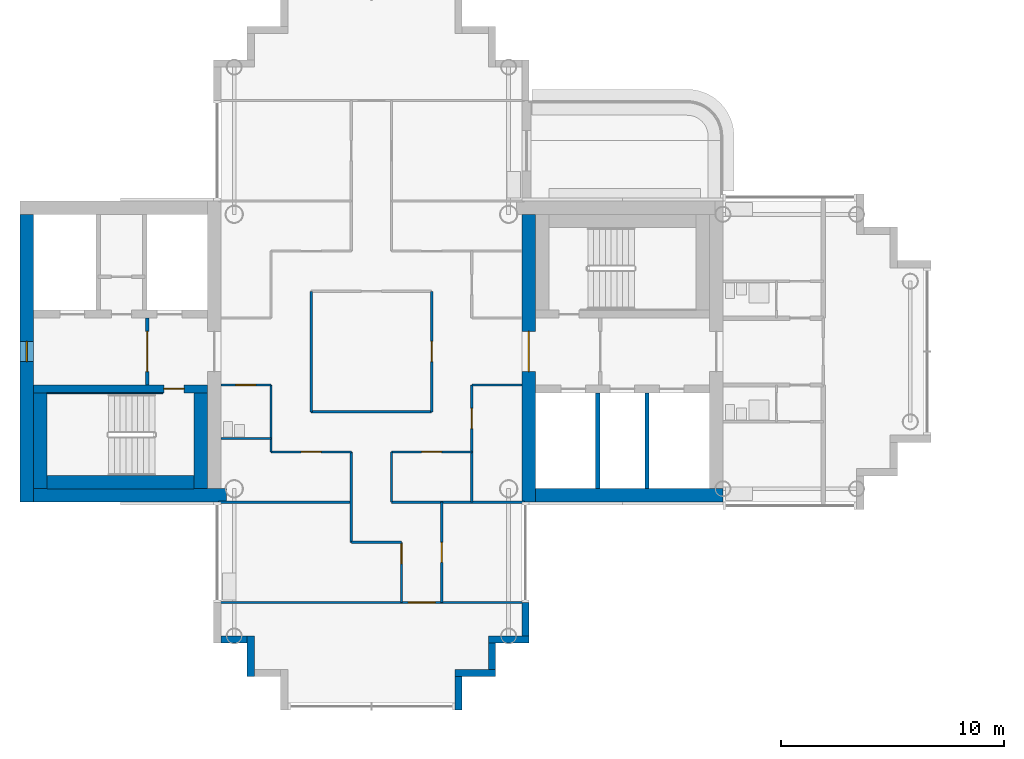
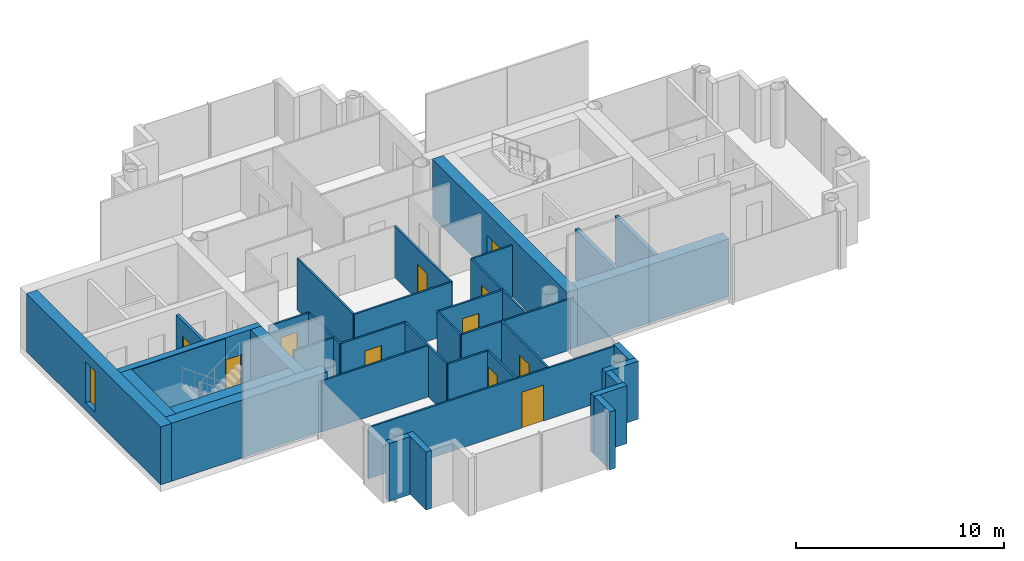
# One storey, part 6 of 18: 37 walls, 11 doors, 1 window, 12 openings.
"""IFC4 building model written with IfcOpenShell, lengths in metres."""

from ifc_helpers import new_model, si_unit, direction, frame, frame_2d, origin, place, context, subcontext, project, spatial, rectangle, extrude, material, layer, layer_set, type_object, element, fill, save


model = new_model("IFC4")

# Units and contexts
model_context = context("Model", 3, precision=1e-05, world=origin(), true_north=direction((0.0, 1.0)))
body_context = subcontext(model_context, "Body", "Model", "MODEL_VIEW")
ifc_project = project(units=[si_unit("LENGTHUNIT", "METRE"), si_unit("AREAUNIT", "SQUARE_METRE"), si_unit("VOLUMEUNIT", "CUBIC_METRE"), si_unit("PLANEANGLEUNIT", "RADIAN"), si_unit("MASSUNIT", "GRAM", prefix="KILO")], contexts=[model_context])

# Site, building, storey
site_placement = place(None, origin())
site = spatial("IfcSite", under=ifc_project, at=site_placement, CompositionType="ELEMENT")
building_placement = place(site_placement, origin())
building = spatial("IfcBuilding", under=site, at=building_placement, Name="Ipe Terrace Towers", CompositionType="ELEMENT")
storey_placement = place(building_placement, frame((0.0, 0.0, 206.199951171875)))
storey = spatial("IfcBuildingStorey", under=building, at=storey_placement, Name="L57", CompositionType="ELEMENT", Elevation=206.199951171875)

# Walls
ifc_material_1 = material(Name="Concrete C40/50 with buff precast cladding", Category="concrete")
ifc_layer_1 = layer(ifc_material_1, 0.320068359375)
ifc_layer_set_1 = layer_set([ifc_layer_1], Name="BUFF CLADDING WALL 320")
wall_type_1 = type_object("IfcWallType", Name="BUFF CLADDING WALL 320", PredefinedType="STANDARD", material=ifc_layer_set_1)
wall_1_placement = place(storey_placement, frame((-42.75, -12.909912109375, -0.300048828125), z_axis=(0.0, 0.0, 1.0), x_axis=(1.0, 0.0, 0.0)))
element("IfcWall", 1, at=wall_1_placement, inside=storey, type_object=wall_type_1, Name="T1-W-L57-04a wall", PredefinedType="STANDARD", context=body_context, shape_type="SweptSolid", body=[
    extrude(rectangle(XDim=1.179931640625, YDim=0.320068359375, at=frame_2d((0.58984375, 0.0))), origin(), (0.0, 0.0, 1.0), 3.400146484375),
])
wall_2_placement = place(storey_placement, frame((-41.409912109375, -12.75, -0.300048828125), z_axis=(0.0, 0.0, 1.0), x_axis=(0.0, -1.0, 0.0)))
element("IfcWall", 2, at=wall_2_placement, inside=storey, type_object=wall_type_1, Name="T1-W-L57-05a wall", PredefinedType="STANDARD", context=body_context, shape_type="SweptSolid", body=[
    extrude(rectangle(XDim=1.820068359375, YDim=0.320068359375, at=frame_2d((0.91015625, 0.0))), origin(), (0.0, 0.0, 1.0), 3.400146484375),
])
wall_3_placement = place(storey_placement, frame((-32.090087890625, -16.070068359375, -0.300048828125), z_axis=(0.0, 0.0, 1.0), x_axis=(0.0, 1.0, 0.0)))
element("IfcWall", 3, at=wall_3_placement, inside=storey, type_object=wall_type_1, Name="T1-W-L57-09a wall", PredefinedType="STANDARD", context=body_context, shape_type="SweptSolid", body=[
    extrude(rectangle(XDim=1.5, YDim=0.320068359375, at=frame_2d((0.75, 0.0))), origin(), (0.0, 0.0, 1.0), 3.400146484375),
])
wall_4_placement = place(storey_placement, frame((-32.25, -14.409912109375, -0.300048828125), z_axis=(0.0, 0.0, 1.0), x_axis=(1.0, 0.0, 0.0)))
element("IfcWall", 4, at=wall_4_placement, inside=storey, type_object=wall_type_1, Name="T1-W-L57-10a wall", PredefinedType="STANDARD", context=body_context, shape_type="SweptSolid", body=[
    extrude(rectangle(XDim=1.820068359375, YDim=0.320068359375, at=frame_2d((0.91015625, 0.0))), origin(), (0.0, 0.0, 1.0), 3.400146484375),
])
wall_5_placement = place(storey_placement, frame((-30.590087890625, -14.25, -0.300048828125), z_axis=(0.0, 0.0, 1.0), x_axis=(0.0, 1.0, 0.0)))
element("IfcWall", 5, at=wall_5_placement, inside=storey, type_object=wall_type_1, Name="T1-W-L57-11a wall", PredefinedType="STANDARD", context=body_context, shape_type="SweptSolid", body=[
    extrude(rectangle(XDim=1.179931640625, YDim=0.320068359375, at=frame_2d((0.58984375, 0.0))), origin(), (0.0, 0.0, 1.0), 3.400146484375),
])
wall_6_placement = place(storey_placement, frame((-30.75, -12.909912109375, -0.300048828125), z_axis=(0.0, 0.0, 1.0), x_axis=(1.0, 0.0, 0.0)))
element("IfcWall", 6, at=wall_6_placement, inside=storey, type_object=wall_type_1, Name="T1-W-L57-12a wall", PredefinedType="STANDARD", context=body_context, shape_type="SweptSolid", body=[
    extrude(rectangle(XDim=1.820068359375, YDim=0.320068359375, at=frame_2d((0.91015625, 0.0))), origin(), (0.0, 0.0, 1.0), 3.400146484375),
])
wall_7_placement = place(storey_placement, frame((-29.090087890625, -12.75, -0.300048828125), z_axis=(0.0, 0.0, 1.0), x_axis=(0.0, 1.0, 0.0)))
element("IfcWall", 7, at=wall_7_placement, inside=storey, type_object=wall_type_1, Name="T1-W-L57-13a wall", PredefinedType="STANDARD", context=body_context, shape_type="SweptSolid", body=[
    extrude(rectangle(XDim=1.5, YDim=0.320068359375, at=frame_2d((0.75, 0.0))), origin(), (0.0, 0.0, 1.0), 3.400146484375),
])
ifc_material_2 = material(Name="Gypsum board partition", Category="plasterboard")
ifc_layer_2 = layer(ifc_material_2, 0.10009765625)
ifc_layer_set_2 = layer_set([ifc_layer_2], Name="Gypsum board partition 100 mm")
wall_type_2 = type_object("IfcWallType", Name="Gypsum board partition 100 mm", PredefinedType="PARTITIONING", material=ifc_layer_set_2)
wall_8_placement = place(storey_placement, frame((-40.5, -4.5, 0.0), z_axis=(0.0, 0.0, 1.0), x_axis=(0.0, 1.0, 0.0)))
element("IfcWall", 8, at=wall_8_placement, inside=storey, type_object=wall_type_2, Name="Gypsum board partition T1 L57 W01", PredefinedType="PARTITIONING", context=body_context, shape_type="SweptSolid", body=[
    extrude(rectangle(XDim=3.0, YDim=0.10009765625, at=frame_2d((1.5, 0.0))), origin(), (0.0, 0.0, 1.0), 3.0),
])
wall_9_placement = place(storey_placement, frame((-38.699951171875, -2.699951171875, 0.0), z_axis=(0.0, 0.0, 1.0), x_axis=(0.0, 1.0, 0.0)))
element("IfcWall", 9, at=wall_9_placement, inside=storey, type_object=wall_type_2, Name="Gypsum board partition T1 L57 W03", PredefinedType="PARTITIONING", context=body_context, shape_type="SweptSolid", body=[
    extrude(rectangle(XDim=5.39990234375, YDim=0.10009765625, at=frame_2d((2.699951171875, 0.0))), origin(), (0.0, 0.0, 1.0), 3.0),
])
wall_10_placement = place(storey_placement, frame((-36.89990234375, -8.550048828125, 0.0), z_axis=(0.0, 0.0, 1.0), x_axis=(0.0, 1.0, 0.0)))
element("IfcWall", 10, at=wall_10_placement, inside=storey, type_object=wall_type_2, Name="Gypsum board partition T1 L57 W04", PredefinedType="PARTITIONING", context=body_context, shape_type="SweptSolid", body=[
    extrude(rectangle(XDim=4.050048828125, YDim=0.10009765625, at=frame_2d((2.02490234375, 0.0))), origin(), (0.0, 0.0, 1.0), 3.0),
])
wall_11_placement = place(storey_placement, frame((-35.10009765625, -6.75, 0.0), z_axis=(0.0, 0.0, 1.0), x_axis=(0.0, 1.0, 0.0)))
element("IfcWall", 11, at=wall_11_placement, inside=storey, type_object=wall_type_2, Name="Gypsum board partition T1 L57 W06", PredefinedType="PARTITIONING", context=body_context, shape_type="SweptSolid", body=[
    extrude(rectangle(XDim=2.25, YDim=0.10009765625, at=frame_2d((1.125, 0.0))), origin(), (0.0, 0.0, 1.0), 3.0),
])

# Wall, opening, door
wall_12_placement = place(storey_placement, frame((-34.64990234375, -11.25, 0.0), z_axis=(0.0, 0.0, 1.0), x_axis=(0.0, 1.0, 0.0)))
wall_12 = element("IfcWall", 12, at=wall_12_placement, inside=storey, type_object=wall_type_2, Name="Gypsum board partition T1 L57 W08", PredefinedType="PARTITIONING", context=body_context, shape_type="SweptSolid", body=[
    extrude(rectangle(XDim=2.699951171875, YDim=0.10009765625, at=frame_2d((1.35009765625, 0.0))), origin(), (0.0, 0.0, 1.0), 3.0),
])
opening_1_placement = place(wall_12_placement, frame((1.72998046875, 0.0, 0.0)))
opening_1 = element("IfcOpeningElement", 13, at=opening_1_placement, cuts=wall_12, Name="Opening T1-Z4E-14", PredefinedType="OPENING", context=body_context, shape_type="SweptSolid", body=[
    extrude(rectangle(XDim=0.89990234375, YDim=2.10009765625, at=frame_2d((0.449951171875, 1.050048828125))), frame((0.0, 0.06005859375, 0.0), z_axis=(0.0, -1.0, 0.0), x_axis=(1.0, 0.0, 0.0)), (0.0, 0.0, 1.0), 0.1201171875),
])
ifc_material_3 = material(Name="Timber door leaf", Category="wood")
door_type_1 = type_object("IfcDoorType", Name="Lounge door 900 x 2100", OperationType="NOTDEFINED", PredefinedType="DOOR", material=ifc_material_3)
door_1_placement = place(opening_1_placement, origin())
door_1 = element("IfcDoor", 14, at=door_1_placement, inside=storey, type_object=door_type_1, Name="Lounge door T1-Z4E-14", OperationType="SINGLE_SWING_LEFT", OverallHeight=2.10009765625, OverallWidth=0.89990234375, PredefinedType="DOOR", context=body_context, shape_type="SweptSolid", body=[
    extrude(rectangle(XDim=0.89990234375, YDim=2.10009765625, at=frame_2d((0.449951171875, 1.050048828125))), frame((0.0, 0.02490234375, 0.0), z_axis=(0.0, -1.0, 0.0), x_axis=(1.0, 0.0, 0.0)), (0.0, 0.0, 1.0), 0.050048828125),
])
fill(opening_1, door_1)

wall_13_placement = place(storey_placement, frame((-33.300048828125, -2.699951171875, 0.0), z_axis=(0.0, 0.0, 1.0), x_axis=(0.0, 1.0, 0.0)))
wall_13 = element("IfcWall", 15, at=wall_13_placement, inside=storey, type_object=wall_type_2, Name="Gypsum board partition T1 L57 W09", PredefinedType="PARTITIONING", context=body_context, shape_type="SweptSolid", body=[
    extrude(rectangle(XDim=5.39990234375, YDim=0.10009765625, at=frame_2d((2.699951171875, 0.0))), origin(), (0.0, 0.0, 1.0), 3.0),
])
opening_2_placement = place(wall_13_placement, frame((2.25, 0.0, 0.0)))
opening_2 = element("IfcOpeningElement", 16, at=opening_2_placement, cuts=wall_13, Name="Opening T1-Z4E-02", PredefinedType="OPENING", context=body_context, shape_type="SweptSolid", body=[
    extrude(rectangle(XDim=0.89990234375, YDim=2.10009765625, at=frame_2d((0.449951171875, 1.050048828125))), frame((0.0, 0.06005859375, 0.0), z_axis=(0.0, -1.0, 0.0), x_axis=(1.0, 0.0, 0.0)), (0.0, 0.0, 1.0), 0.1201171875),
])
door_2_placement = place(opening_2_placement, origin())
door_2 = element("IfcDoor", 17, at=door_2_placement, inside=storey, type_object=door_type_1, Name="Lounge door T1-Z4E-02", OperationType="SINGLE_SWING_LEFT", OverallHeight=2.10009765625, OverallWidth=0.89990234375, PredefinedType="DOOR", context=body_context, shape_type="SweptSolid", body=[
    extrude(rectangle(XDim=0.89990234375, YDim=2.10009765625, at=frame_2d((0.449951171875, 1.050048828125))), frame((0.0, 0.02490234375, 0.0), z_axis=(0.0, -1.0, 0.0), x_axis=(1.0, 0.0, 0.0)), (0.0, 0.0, 1.0), 0.050048828125),
])
fill(opening_2, door_2)

wall_14_placement = place(storey_placement, frame((-32.85009765625, -11.25, 0.0), z_axis=(0.0, 0.0, 1.0), x_axis=(0.0, 1.0, 0.0)))
wall_14 = element("IfcWall", 18, at=wall_14_placement, inside=storey, type_object=wall_type_2, Name="Gypsum board partition T1 L57 W10", PredefinedType="PARTITIONING", context=body_context, shape_type="SweptSolid", body=[
    extrude(rectangle(XDim=4.5, YDim=0.10009765625, at=frame_2d((2.25, 0.0))), origin(), (0.0, 0.0, 1.0), 3.0),
])
opening_3_placement = place(wall_14_placement, frame((1.800048828125, 0.0, 0.0)))
opening_3 = element("IfcOpeningElement", 19, at=opening_3_placement, cuts=wall_14, Name="Opening T1-Z4E-13", PredefinedType="OPENING", context=body_context, shape_type="SweptSolid", body=[
    extrude(rectangle(XDim=0.89990234375, YDim=2.10009765625, at=frame_2d((0.449951171875, 1.050048828125))), frame((0.0, 0.06005859375, 0.0), z_axis=(0.0, -1.0, 0.0), x_axis=(1.0, 0.0, 0.0)), (0.0, 0.0, 1.0), 0.1201171875),
])
door_3_placement = place(opening_3_placement, origin())
door_3 = element("IfcDoor", 20, at=door_3_placement, inside=storey, type_object=door_type_1, Name="Lounge door T1-Z4E-13", OperationType="SINGLE_SWING_RIGHT", OverallHeight=2.10009765625, OverallWidth=0.89990234375, PredefinedType="DOOR", context=body_context, shape_type="SweptSolid", body=[
    extrude(rectangle(XDim=0.89990234375, YDim=2.10009765625, at=frame_2d((0.449951171875, 1.050048828125))), frame((0.0, 0.02490234375, 0.0), z_axis=(0.0, -1.0, 0.0), x_axis=(1.0, 0.0, 0.0)), (0.0, 0.0, 1.0), 0.050048828125),
])
fill(opening_3, door_3)

wall_15_placement = place(storey_placement, frame((-31.5, -6.75, 0.0), z_axis=(0.0, 0.0, 1.0), x_axis=(0.0, 1.0, 0.0)))
wall_15 = element("IfcWall", 21, at=wall_15_placement, inside=storey, type_object=wall_type_2, Name="Gypsum board partition T1 L57 W11", PredefinedType="PARTITIONING", context=body_context, shape_type="SweptSolid", body=[
    extrude(rectangle(XDim=5.25, YDim=0.10009765625, at=frame_2d((2.625, 0.0))), origin(), (0.0, 0.0, 1.0), 3.0),
])
opening_4_placement = place(wall_15_placement, frame((3.300048828125, 0.0, 0.0)))
opening_4 = element("IfcOpeningElement", 22, at=opening_4_placement, cuts=wall_15, Name="Opening T1-Z4E-09", PredefinedType="OPENING", context=body_context, shape_type="SweptSolid", body=[
    extrude(rectangle(XDim=0.89990234375, YDim=2.10009765625, at=frame_2d((0.449951171875, 1.050048828125))), frame((0.0, 0.06005859375, 0.0), z_axis=(0.0, -1.0, 0.0), x_axis=(1.0, 0.0, 0.0)), (0.0, 0.0, 1.0), 0.1201171875),
])
door_4_placement = place(opening_4_placement, origin())
door_4 = element("IfcDoor", 23, at=door_4_placement, inside=storey, type_object=door_type_1, Name="Lounge door T1-Z4E-09", OperationType="SINGLE_SWING_RIGHT", OverallHeight=2.10009765625, OverallWidth=0.89990234375, PredefinedType="DOOR", context=body_context, shape_type="SweptSolid", body=[
    extrude(rectangle(XDim=0.89990234375, YDim=2.10009765625, at=frame_2d((0.449951171875, 1.050048828125))), frame((0.0, 0.02490234375, 0.0), z_axis=(0.0, -1.0, 0.0), x_axis=(1.0, 0.0, 0.0)), (0.0, 0.0, 1.0), 0.050048828125),
])
fill(opening_4, door_4)

wall_16_placement = place(storey_placement, frame((-42.85009765625, -11.25, 0.0), z_axis=(0.0, 0.0, 1.0), x_axis=(1.0, 0.0, 0.0)))
wall_16 = element("IfcWall", 24, at=wall_16_placement, inside=storey, type_object=wall_type_2, Name="Gypsum board partition T1 L57 W18", PredefinedType="PARTITIONING", context=body_context, shape_type="SweptSolid", body=[
    extrude(rectangle(XDim=13.7001953125, YDim=0.10009765625, at=frame_2d((6.85009765625, 0.0))), origin(), (0.0, 0.0, 1.0), 3.0),
])
opening_5_placement = place(wall_16_placement, frame((8.5, 0.0, 0.0)))
opening_5 = element("IfcOpeningElement", 25, at=opening_5_placement, cuts=wall_16, Name="Opening T1-Z4E-15", PredefinedType="OPENING", context=body_context, shape_type="SweptSolid", body=[
    extrude(rectangle(XDim=1.199951171875, YDim=2.10009765625, at=frame_2d((0.60009765625, 1.050048828125))), frame((0.0, 0.06005859375, 0.0), z_axis=(0.0, -1.0, 0.0), x_axis=(1.0, 0.0, 0.0)), (0.0, 0.0, 1.0), 0.1201171875),
])
ifc_material_4 = material(Name="Timber door leaf", Category="wood")
door_type_2 = type_object("IfcDoorType", Name="Lounge door 1200 x 2100", OperationType="NOTDEFINED", PredefinedType="DOOR", material=ifc_material_4)
door_5_placement = place(opening_5_placement, origin())
door_5 = element("IfcDoor", 26, at=door_5_placement, inside=storey, type_object=door_type_2, Name="Lounge door T1-Z4E-15", OperationType="SINGLE_SWING_RIGHT", OverallHeight=2.10009765625, OverallWidth=1.199951171875, PredefinedType="DOOR", context=body_context, shape_type="SweptSolid", body=[
    extrude(rectangle(XDim=1.199951171875, YDim=2.10009765625, at=frame_2d((0.60009765625, 1.050048828125))), frame((0.0, 0.02490234375, 0.0), z_axis=(0.0, -1.0, 0.0), x_axis=(1.0, 0.0, 0.0)), (0.0, 0.0, 1.0), 0.050048828125),
])
fill(opening_5, door_5)

# Walls
wall_17_placement = place(storey_placement, frame((-36.89990234375, -8.550048828125, 0.0), z_axis=(0.0, 0.0, 1.0), x_axis=(1.0, 0.0, 0.0)))
element("IfcWall", 27, at=wall_17_placement, inside=storey, type_object=wall_type_2, Name="Gypsum board partition T1 L57 W19", PredefinedType="PARTITIONING", context=body_context, shape_type="SweptSolid", body=[
    extrude(rectangle(XDim=2.25, YDim=0.10009765625, at=frame_2d((1.125, 0.0))), origin(), (0.0, 0.0, 1.0), 3.0),
])
for number, where, z_axis, x_axis, name in (
    (28, (-42.85009765625, -6.75, 0.0), (0.0, 0.0, 1.0), (1.0, 0.0, 0.0), "Gypsum board partition T1 L57 W20"),
    (29, (-35.10009765625, -6.75, 0.0), (0.0, 0.0, 1.0), (1.0, 0.0, 0.0), "Gypsum board partition T1 L57 W21"),
):
    element("IfcWall", number, at=place(storey_placement, frame(where, z_axis=z_axis, x_axis=x_axis)), inside=storey, type_object=wall_type_2, Name=name, PredefinedType="PARTITIONING", context=body_context, shape_type="SweptSolid", body=[
        extrude(rectangle(XDim=5.9501953125, YDim=0.10009765625, at=frame_2d((2.97509765625, 0.0))), origin(), (0.0, 0.0, 1.0), 3.0),
    ])

# Wall, opening, door
wall_18_placement = place(storey_placement, frame((-40.5, -4.5, 0.0), z_axis=(0.0, 0.0, 1.0), x_axis=(1.0, 0.0, 0.0)))
wall_18 = element("IfcWall", 30, at=wall_18_placement, inside=storey, type_object=wall_type_2, Name="Gypsum board partition T1 L57 W22", PredefinedType="PARTITIONING", context=body_context, shape_type="SweptSolid", body=[
    extrude(rectangle(XDim=3.60009765625, YDim=0.10009765625, at=frame_2d((1.800048828125, 0.0))), origin(), (0.0, 0.0, 1.0), 3.0),
])
opening_6_placement = place(wall_18_placement, frame((1.35009765625, 0.0, 0.0)))
opening_6 = element("IfcOpeningElement", 31, at=opening_6_placement, cuts=wall_18, Name="Opening T1-Z4E-07", PredefinedType="OPENING", context=body_context, shape_type="SweptSolid", body=[
    extrude(rectangle(XDim=0.89990234375, YDim=2.10009765625, at=frame_2d((0.449951171875, 1.050048828125))), frame((0.0, 0.06005859375, 0.0), z_axis=(0.0, -1.0, 0.0), x_axis=(1.0, 0.0, 0.0)), (0.0, 0.0, 1.0), 0.1201171875),
])
door_6_placement = place(opening_6_placement, origin())
door_6 = element("IfcDoor", 32, at=door_6_placement, inside=storey, type_object=door_type_1, Name="Lounge door T1-Z4E-07", OperationType="SINGLE_SWING_LEFT", OverallHeight=2.10009765625, OverallWidth=0.89990234375, PredefinedType="DOOR", context=body_context, shape_type="SweptSolid", body=[
    extrude(rectangle(XDim=0.89990234375, YDim=2.10009765625, at=frame_2d((0.449951171875, 1.050048828125))), frame((0.0, 0.02490234375, 0.0), z_axis=(0.0, -1.0, 0.0), x_axis=(1.0, 0.0, 0.0)), (0.0, 0.0, 1.0), 0.050048828125),
])
fill(opening_6, door_6)

wall_19_placement = place(storey_placement, frame((-35.10009765625, -4.5, 0.0), z_axis=(0.0, 0.0, 1.0), x_axis=(1.0, 0.0, 0.0)))
wall_19 = element("IfcWall", 33, at=wall_19_placement, inside=storey, type_object=wall_type_2, Name="Gypsum board partition T1 L57 W23", PredefinedType="PARTITIONING", context=body_context, shape_type="SweptSolid", body=[
    extrude(rectangle(XDim=3.60009765625, YDim=0.10009765625, at=frame_2d((1.800048828125, 0.0))), origin(), (0.0, 0.0, 1.0), 3.0),
])
opening_7_placement = place(wall_19_placement, frame((1.35009765625, 0.0, 0.0)))
opening_7 = element("IfcOpeningElement", 34, at=opening_7_placement, cuts=wall_19, Name="Opening T1-Z4E-08", PredefinedType="OPENING", context=body_context, shape_type="SweptSolid", body=[
    extrude(rectangle(XDim=0.89990234375, YDim=2.10009765625, at=frame_2d((0.449951171875, 1.050048828125))), frame((0.0, 0.06005859375, 0.0), z_axis=(0.0, -1.0, 0.0), x_axis=(1.0, 0.0, 0.0)), (0.0, 0.0, 1.0), 0.1201171875),
])
door_7_placement = place(opening_7_placement, origin())
door_7 = element("IfcDoor", 35, at=door_7_placement, inside=storey, type_object=door_type_1, Name="Lounge door T1-Z4E-08", OperationType="SINGLE_SWING_RIGHT", OverallHeight=2.10009765625, OverallWidth=0.89990234375, PredefinedType="DOOR", context=body_context, shape_type="SweptSolid", body=[
    extrude(rectangle(XDim=0.89990234375, YDim=2.10009765625, at=frame_2d((0.449951171875, 1.050048828125))), frame((0.0, 0.02490234375, 0.0), z_axis=(0.0, -1.0, 0.0), x_axis=(1.0, 0.0, 0.0)), (0.0, 0.0, 1.0), 0.050048828125),
])
fill(opening_7, door_7)

# Walls
wall_20_placement = place(storey_placement, frame((-42.75, -3.89990234375, 0.0), z_axis=(0.0, 0.0, 1.0), x_axis=(1.0, 0.0, 0.0)))
element("IfcWall", 36, at=wall_20_placement, inside=storey, type_object=wall_type_2, Name="Gypsum board partition T1 L57 W24", PredefinedType="PARTITIONING", context=body_context, shape_type="SweptSolid", body=[
    extrude(rectangle(XDim=2.25, YDim=0.10009765625, at=frame_2d((1.125, 0.0))), origin(), (0.0, 0.0, 1.0), 3.0),
])
wall_21_placement = place(storey_placement, frame((-38.699951171875, -2.699951171875, 0.0), z_axis=(0.0, 0.0, 1.0), x_axis=(1.0, 0.0, 0.0)))
element("IfcWall", 37, at=wall_21_placement, inside=storey, type_object=wall_type_2, Name="Gypsum board partition T1 L57 W26", PredefinedType="PARTITIONING", context=body_context, shape_type="SweptSolid", body=[
    extrude(rectangle(XDim=5.39990234375, YDim=0.10009765625, at=frame_2d((2.699951171875, 0.0))), origin(), (0.0, 0.0, 1.0), 3.0),
])

# Wall, opening, door
wall_22_placement = place(storey_placement, frame((-42.75, -1.5, 0.0), z_axis=(0.0, 0.0, 1.0), x_axis=(1.0, 0.0, 0.0)))
wall_22 = element("IfcWall", 38, at=wall_22_placement, inside=storey, type_object=wall_type_2, Name="Gypsum board partition T1 L57 W27", PredefinedType="PARTITIONING", context=body_context, shape_type="SweptSolid", body=[
    extrude(rectangle(XDim=2.25, YDim=0.10009765625, at=frame_2d((1.125, 0.0))), origin(), (0.0, 0.0, 1.0), 3.0),
])
opening_8_placement = place(wall_22_placement, frame((0.675048828125, 0.0, 0.0)))
opening_8 = element("IfcOpeningElement", 39, at=opening_8_placement, cuts=wall_22, Name="Opening T1-Z4E-03", PredefinedType="OPENING", context=body_context, shape_type="SweptSolid", body=[
    extrude(rectangle(XDim=0.89990234375, YDim=2.10009765625, at=frame_2d((0.449951171875, 1.050048828125))), frame((0.0, 0.06005859375, 0.0), z_axis=(0.0, -1.0, 0.0), x_axis=(1.0, 0.0, 0.0)), (0.0, 0.0, 1.0), 0.1201171875),
])
ifc_material_5 = material(Name="Timber door leaf", Category="wood")
door_type_3 = type_object("IfcDoorType", Name="Bathroom door 900 x 2100", OperationType="NOTDEFINED", PredefinedType="DOOR", material=ifc_material_5)
door_8_placement = place(opening_8_placement, origin())
door_8 = element("IfcDoor", 40, at=door_8_placement, inside=storey, type_object=door_type_3, Name="Bathroom door T1-Z4E-03", OperationType="SINGLE_SWING_RIGHT", OverallHeight=2.10009765625, OverallWidth=0.89990234375, PredefinedType="DOOR", context=body_context, shape_type="SweptSolid", body=[
    extrude(rectangle(XDim=0.89990234375, YDim=2.10009765625, at=frame_2d((0.449951171875, 1.050048828125))), frame((0.0, 0.02490234375, 0.0), z_axis=(0.0, -1.0, 0.0), x_axis=(1.0, 0.0, 0.0)), (0.0, 0.0, 1.0), 0.050048828125),
])
fill(opening_8, door_8)

# Wall
wall_23_placement = place(storey_placement, frame((-31.5, -1.5, 0.0), z_axis=(0.0, 0.0, 1.0), x_axis=(1.0, 0.0, 0.0)))
element("IfcWall", 41, at=wall_23_placement, inside=storey, type_object=wall_type_2, Name="Gypsum board partition T1 L57 W28", PredefinedType="PARTITIONING", context=body_context, shape_type="SweptSolid", body=[
    extrude(rectangle(XDim=2.25, YDim=0.10009765625, at=frame_2d((1.125, 0.0))), origin(), (0.0, 0.0, 1.0), 3.0),
])

# Wall, opening, door
ifc_material_6 = material(Name="Gypsum board partition", Category="plasterboard")
ifc_layer_3 = layer(ifc_material_6, 0.14990234375)
ifc_layer_set_3 = layer_set([ifc_layer_3], Name="Gypsum board partition 150 mm")
wall_type_3 = type_object("IfcWallType", Name="Gypsum board partition 150 mm", PredefinedType="PARTITIONING", material=ifc_layer_set_3)
wall_24_placement = place(storey_placement, frame((-46.050048828125, 1.5, 0.0), z_axis=(0.0, 0.0, 1.0), x_axis=(0.0, -1.0, 0.0)))
wall_24 = element("IfcWall", 42, at=wall_24_placement, inside=storey, type_object=wall_type_3, Name="Gypsum board partition T1 L57 t1c2-lobby-wall", PredefinedType="PARTITIONING", context=body_context, shape_type="SweptSolid", body=[
    extrude(rectangle(XDim=3.0, YDim=0.14990234375, at=frame_2d((1.5, 0.0))), origin(), (0.0, 0.0, 1.0), 3.0),
])
opening_9_placement = place(wall_24_placement, frame((0.60009765625, 0.0, 0.0)))
opening_9 = element("IfcOpeningElement", 43, at=opening_9_placement, cuts=wall_24, Name="Opening T1C2-VD", PredefinedType="OPENING", context=body_context, shape_type="SweptSolid", body=[
    extrude(rectangle(XDim=1.800048828125, YDim=2.10009765625, at=frame_2d((0.89990234375, 1.050048828125))), frame((0.0, 0.0849609375, 0.0), z_axis=(0.0, -1.0, 0.0), x_axis=(1.0, 0.0, 0.0)), (0.0, 0.0, 1.0), 0.169921875),
])
ifc_material_7 = material(Name="Fire-rated timber door leaf", Category="wood")
door_type_4 = type_object("IfcDoorType", Name="Lobby door 1800 x 2100 FD60", OperationType="NOTDEFINED", PredefinedType="DOOR", material=ifc_material_7)
door_9_placement = place(opening_9_placement, origin())
door_9 = element("IfcDoor", 44, at=door_9_placement, inside=storey, type_object=door_type_4, Name="Lobby door T1C2-VD", OperationType="SINGLE_SWING_LEFT", OverallHeight=2.10009765625, OverallWidth=1.800048828125, PredefinedType="DOOR", context=body_context, shape_type="SweptSolid", body=[
    extrude(rectangle(XDim=1.800048828125, YDim=2.10009765625, at=frame_2d((0.89990234375, 1.050048828125))), frame((0.0, 0.02490234375, 0.0), z_axis=(0.0, -1.0, 0.0), x_axis=(1.0, 0.0, 0.0)), (0.0, 0.0, 1.0), 0.050048828125),
])
fill(opening_9, door_9)

# Walls
ifc_material_8 = material(Name="Gypsum board party wall", Category="plasterboard")
ifc_layer_4 = layer(ifc_material_8, 0.199951171875)
ifc_layer_set_4 = layer_set([ifc_layer_4], Name="Gypsum board party wall 200 mm")
wall_type_4 = type_object("IfcWallType", Name="Gypsum board party wall 200 mm", PredefinedType="SOLIDWALL", material=ifc_layer_set_4)
for number, where, z_axis, x_axis, name in (
    (45, (-25.85009765625, -6.14990234375, 0.0), (0.0, 0.0, 1.0), (0.0, 1.0, 0.0), "Gypsum board party wall T1 L57 t1c1-shaft-div1"),
    (46, (-23.64990234375, -6.14990234375, 0.0), (0.0, 0.0, 1.0), (0.0, 1.0, 0.0), "Gypsum board party wall T1 L57 t1c1-shaft-div2"),
):
    element("IfcWall", number, at=place(storey_placement, frame(where, z_axis=z_axis, x_axis=x_axis)), inside=storey, type_object=wall_type_4, Name=name, PredefinedType="SOLIDWALL", context=body_context, shape_type="SweptSolid", body=[
        extrude(rectangle(XDim=4.2998046875, YDim=0.199951171875, at=frame_2d((2.14990234375, 0.0))), origin(), (0.0, 0.0, 1.0), 3.0),
    ])

# Wall, opening, door
ifc_material_9 = material(Name="Concrete C40/50", Category="concrete")
ifc_layer_5 = layer(ifc_material_9, 0.35009765625)
ifc_layer_set_5 = layer_set([ifc_layer_5], Name="RW350 CORE SPINE WALL 350 C40-50")
wall_type_5 = type_object("IfcWallType", Name="RW350 CORE SPINE WALL 350 C40-50", PredefinedType="SHEAR", material=ifc_layer_set_5)
wall_25_placement = place(storey_placement, frame((-51.14990234375, -1.675048828125, 0.0), z_axis=(0.0, 0.0, 1.0), x_axis=(1.0, 0.0, 0.0)))
wall_25 = element("IfcWall", 47, at=wall_25_placement, inside=storey, type_object=wall_type_5, Name="Core spine wall T1-C2-Z4-SW1", PredefinedType="SHEAR", context=body_context, shape_type="SweptSolid", body=[
    extrude(rectangle(XDim=7.7998046875, YDim=0.35009765625, at=frame_2d((3.89990234375, 0.0))), origin(), (0.0, 0.0, 1.0), 3.400146484375),
])
opening_10_placement = place(wall_25_placement, frame((5.85009765625, 0.0, 0.0)))
opening_10 = element("IfcOpeningElement", 48, at=opening_10_placement, cuts=wall_25, Name="Opening T1C2-SD", PredefinedType="OPENING", context=body_context, shape_type="SweptSolid", body=[
    extrude(rectangle(XDim=0.89990234375, YDim=2.10009765625, at=frame_2d((0.449951171875, 1.050048828125))), frame((0.0, 0.18505859375, 0.0), z_axis=(0.0, -1.0, 0.0), x_axis=(1.0, 0.0, 0.0)), (0.0, 0.0, 1.0), 0.3701171875),
])
ifc_material_10 = material(Name="Fire-rated timber door leaf", Category="wood")
door_type_5 = type_object("IfcDoorType", Name="Stair door 900 x 2100 FD60", OperationType="NOTDEFINED", PredefinedType="DOOR", material=ifc_material_10)
door_10_placement = place(opening_10_placement, origin())
door_10 = element("IfcDoor", 49, at=door_10_placement, inside=storey, type_object=door_type_5, Name="Stair door T1C2-SD", OperationType="SINGLE_SWING_RIGHT", OverallHeight=2.10009765625, OverallWidth=0.89990234375, PredefinedType="DOOR", context=body_context, shape_type="SweptSolid", body=[
    extrude(rectangle(XDim=0.89990234375, YDim=2.10009765625, at=frame_2d((0.449951171875, 1.050048828125))), frame((0.0, 0.02490234375, 0.0), z_axis=(0.0, -1.0, 0.0), x_axis=(1.0, 0.0, 0.0)), (0.0, 0.0, 1.0), 0.050048828125),
])
fill(opening_10, door_10)

# Walls
ifc_material_11 = material(Name="Concrete C40/50", Category="concrete")
ifc_layer_6 = layer(ifc_material_11, 0.050048828125)
ifc_layer_set_6 = layer_set([ifc_layer_6], Name="RW50 CORE INFILL WALL 50 C40-50")
wall_type_6 = type_object("IfcWallType", Name="RW50 CORE INFILL WALL 50 C40-50", PredefinedType="SHEAR", material=ifc_layer_set_6)
wall_26_placement = place(storey_placement, frame((-45.35009765625, -1.875, 0.0), z_axis=(0.0, 0.0, 1.0), x_axis=(-1.0, 0.0, 0.0)))
element("IfcWall", 50, at=wall_26_placement, inside=storey, type_object=wall_type_6, Name="Core infill wall T1-C2-spine-b", PredefinedType="SHEAR", context=body_context, shape_type="SweptSolid", body=[
    extrude(rectangle(XDim=5.199951171875, YDim=0.050048828125, at=frame_2d((2.60009765625, 0.0))), origin(), (0.0, 0.0, 1.0), 3.400146484375),
])
ifc_material_12 = material(Name="Concrete C40/50", Category="concrete")
ifc_layer_7 = layer(ifc_material_12, 0.60009765625)
ifc_layer_set_7 = layer_set([ifc_layer_7], Name="RW600 CORE INFILL WALL 600 C40-50")
wall_type_7 = type_object("IfcWallType", Name="RW600 CORE INFILL WALL 600 C40-50", PredefinedType="SHEAR", material=ifc_layer_set_7)
wall_27_placement = place(storey_placement, frame((-50.85009765625, -1.85009765625, 0.0), z_axis=(0.0, 0.0, 1.0), x_axis=(0.0, -1.0, 0.0)))
element("IfcWall", 51, at=wall_27_placement, inside=storey, type_object=wall_type_7, Name="Core infill wall T1-C2-far", PredefinedType="SHEAR", context=body_context, shape_type="SweptSolid", body=[
    extrude(rectangle(XDim=4.2998046875, YDim=0.60009765625, at=frame_2d((2.14990234375, 0.0))), origin(), (0.0, 0.0, 1.0), 3.400146484375),
])
wall_28_placement = place(storey_placement, frame((-43.949951171875, -5.85009765625, 0.0), z_axis=(0.0, 0.0, 1.0), x_axis=(-1.0, 0.0, 0.0)))
element("IfcWall", 52, at=wall_28_placement, inside=storey, type_object=wall_type_7, Name="Core infill wall T1-C2-back", PredefinedType="SHEAR", context=body_context, shape_type="SweptSolid", body=[
    extrude(rectangle(XDim=6.60009765625, YDim=0.60009765625, at=frame_2d((3.300048828125, 0.0))), origin(), (0.0, 0.0, 1.0), 3.400146484375),
])
wall_29_placement = place(storey_placement, frame((-43.64990234375, -1.85009765625, 0.0), z_axis=(0.0, 0.0, 1.0), x_axis=(0.0, -1.0, 0.0)))
element("IfcWall", 53, at=wall_29_placement, inside=storey, type_object=wall_type_7, Name="Core infill wall T1-C2-near", PredefinedType="SHEAR", context=body_context, shape_type="SweptSolid", body=[
    extrude(rectangle(XDim=4.2998046875, YDim=0.60009765625, at=frame_2d((2.14990234375, 0.0))), origin(), (0.0, 0.0, 1.0), 3.400146484375),
])
ifc_material_13 = material(Name="Concrete C40/50", Category="concrete")
ifc_layer_8 = layer(ifc_material_13, 0.60009765625)
ifc_layer_set_8 = layer_set([ifc_layer_8], Name="RW600 CORE WALL 600 C40-50")
wall_type_8 = type_object("IfcWallType", Name="RW600 CORE WALL 600 C40-50", PredefinedType="SHEAR", material=ifc_layer_set_8)
wall_30_placement = place(storey_placement, frame((-28.64990234375, -6.449951171875, 0.0), z_axis=(0.0, 0.0, 1.0), x_axis=(1.0, 0.0, 0.0)))
element("IfcWall", 54, at=wall_30_placement, inside=storey, type_object=wall_type_8, Name="Core wall T1-C1-Z4-W01", PredefinedType="SHEAR", context=body_context, shape_type="SweptSolid", body=[
    extrude(rectangle(XDim=8.39990234375, YDim=0.60009765625, at=frame_2d((4.199951171875, 0.0))), origin(), (0.0, 0.0, 1.0), 3.400146484375),
])

# Wall, opening, door
wall_31_placement = place(storey_placement, frame((-28.949951171875, 6.14990234375, 0.0), z_axis=(0.0, 0.0, 1.0), x_axis=(0.0, -1.0, 0.0)))
wall_31 = element("IfcWall", 55, at=wall_31_placement, inside=storey, type_object=wall_type_8, Name="Core wall T1-C1-Z4-W04", PredefinedType="SHEAR", context=body_context, shape_type="SweptSolid", body=[
    extrude(rectangle(XDim=12.89990234375, YDim=0.60009765625, at=frame_2d((6.449951171875, 0.0))), origin(), (0.0, 0.0, 1.0), 3.400146484375),
])
opening_11_placement = place(wall_31_placement, frame((5.25, 0.0, 0.0)))
opening_11 = element("IfcOpeningElement", 56, at=opening_11_placement, cuts=wall_31, Name="Opening T1C1-ND", PredefinedType="OPENING", context=body_context, shape_type="SweptSolid", body=[
    extrude(rectangle(XDim=1.800048828125, YDim=2.10009765625, at=frame_2d((0.89990234375, 1.050048828125))), frame((0.0, 0.31005859375, 0.0), z_axis=(0.0, -1.0, 0.0), x_axis=(1.0, 0.0, 0.0)), (0.0, 0.0, 1.0), 0.6201171875),
])
ifc_material_14 = material(Name="Fire-rated timber door leaf", Category="wood")
door_type_6 = type_object("IfcDoorType", Name="Fire door 1800 x 2100 FD30S", OperationType="NOTDEFINED", PredefinedType="DOOR", material=ifc_material_14)
door_11_placement = place(opening_11_placement, origin())
door_11 = element("IfcDoor", 57, at=door_11_placement, inside=storey, type_object=door_type_6, Name="Fire door T1C1-ND", OperationType="SINGLE_SWING_LEFT", OverallHeight=2.10009765625, OverallWidth=1.800048828125, PredefinedType="DOOR", context=body_context, shape_type="SweptSolid", body=[
    extrude(rectangle(XDim=1.800048828125, YDim=2.10009765625, at=frame_2d((0.89990234375, 1.050048828125))), frame((0.0, 0.02490234375, 0.0), z_axis=(0.0, -1.0, 0.0), x_axis=(1.0, 0.0, 0.0)), (0.0, 0.0, 1.0), 0.050048828125),
])
fill(opening_11, door_11)

# Wall
wall_32_placement = place(storey_placement, frame((-51.14990234375, -6.449951171875, 0.0), z_axis=(0.0, 0.0, 1.0), x_axis=(1.0, 0.0, 0.0)))
element("IfcWall", 58, at=wall_32_placement, inside=storey, type_object=wall_type_8, Name="Core wall T1-C2-Z4-W01", PredefinedType="SHEAR", context=body_context, shape_type="SweptSolid", body=[
    extrude(rectangle(XDim=8.64794921875, YDim=0.60009765625, at=frame_2d((4.323974609375, 0.0))), origin(), (0.0, 0.0, 1.0), 3.400146484375),
])

# Wall, opening, window
wall_33_placement = place(storey_placement, frame((-51.449951171875, 6.14990234375, 0.0), z_axis=(0.0, 0.0, 1.0), x_axis=(0.0, -1.0, 0.0)))
wall_33 = element("IfcWall", 59, at=wall_33_placement, inside=storey, type_object=wall_type_8, Name="Core wall T1-C2-Z4-W04", PredefinedType="SHEAR", context=body_context, shape_type="SweptSolid", body=[
    extrude(rectangle(XDim=12.89990234375, YDim=0.60009765625, at=frame_2d((6.449951171875, 0.0))), origin(), (0.0, 0.0, 1.0), 3.400146484375),
])
opening_12_placement = place(wall_33_placement, frame((5.699951171875, 0.0, 0.449951171875)))
opening_12 = element("IfcOpeningElement", 60, at=opening_12_placement, cuts=wall_33, Name="Opening T1-C2-W-01-L57", PredefinedType="OPENING", context=body_context, shape_type="SweptSolid", body=[
    extrude(rectangle(XDim=0.89990234375, YDim=2.39990234375, at=frame_2d((0.449951171875, 1.199951171875))), frame((0.0, 0.31005859375, 0.0), z_axis=(0.0, -1.0, 0.0), x_axis=(1.0, 0.0, 0.0)), (0.0, 0.0, 1.0), 0.6201171875),
])
ifc_material_15 = material(Name="Fire-resistant glazing EI 60", Category="glass")
window_type = type_object("IfcWindowType", Name="CORRIDOR END SLOT WINDOW 900 x 2400 EI 60", PartitioningType="SINGLE_PANEL", PredefinedType="WINDOW", material=ifc_material_15)
window_placement = place(opening_12_placement, origin())
window = element("IfcWindow", 61, at=window_placement, inside=storey, type_object=window_type, Name="W-01 window", OverallHeight=2.39990234375, OverallWidth=0.89990234375, PartitioningType="SINGLE_PANEL", PredefinedType="WINDOW", context=body_context, shape_type="SweptSolid", body=[
    extrude(rectangle(XDim=0.89990234375, YDim=2.39990234375, at=frame_2d((0.449951171875, 1.199951171875))), frame((0.0, 0.030029296875, 0.0), z_axis=(0.0, -1.0, 0.0), x_axis=(1.0, 0.0, 0.0)), (0.0, 0.0, 1.0), 0.06005859375),
])
fill(opening_12, window)

save(model, "model.ifc")
